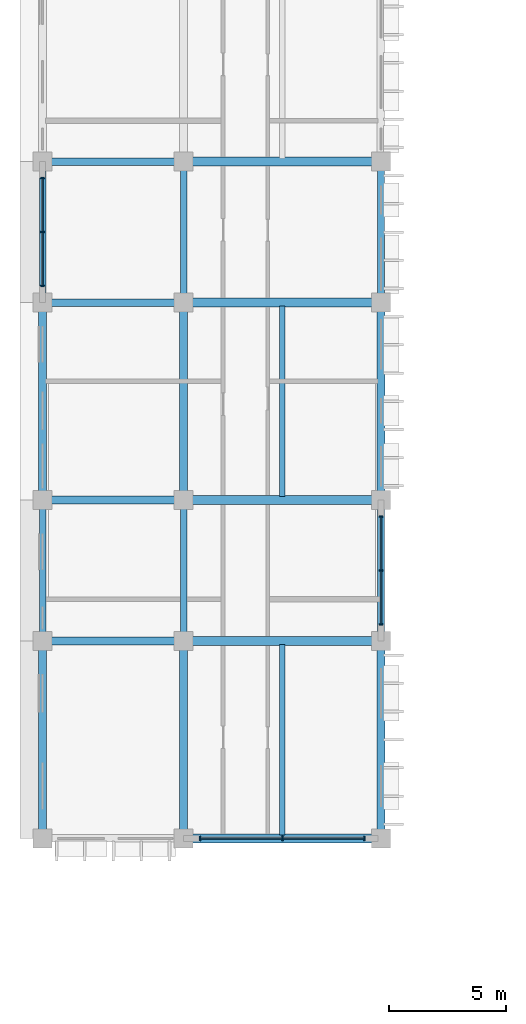
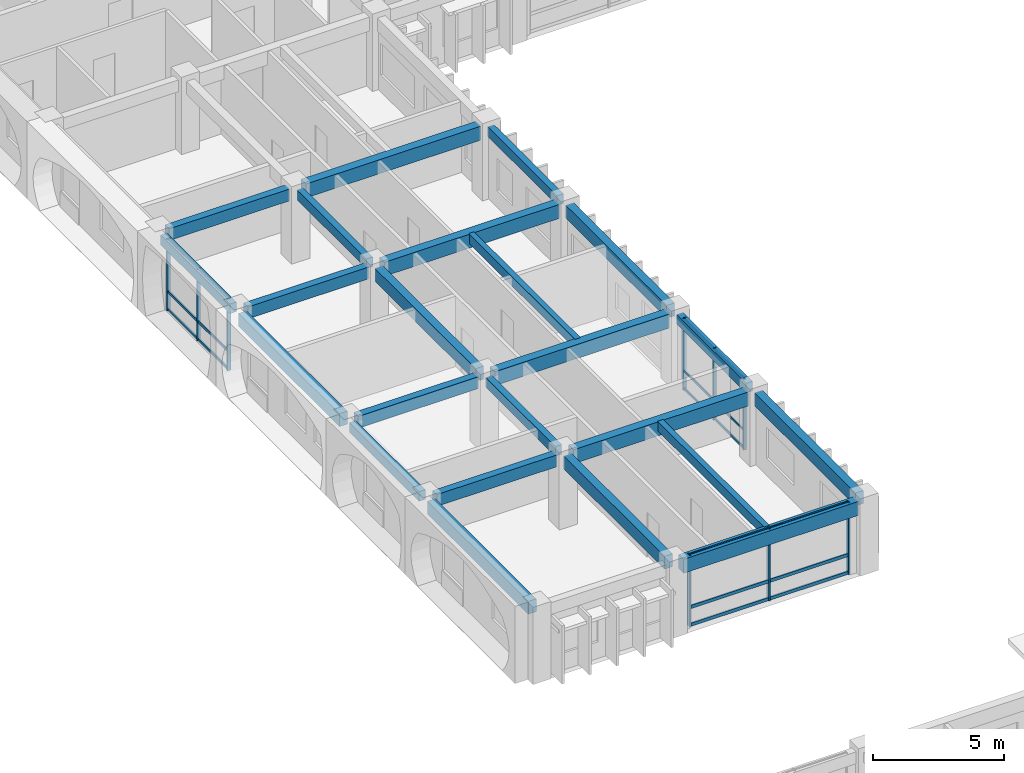
# One storey, part 23 of 88: 23 beams, 18 members, 3 elements without a shape of their own.
"""IFC4 building model written with IfcOpenShell, lengths in metres."""

from ifc_helpers import new_model, si_unit, direction, frame, origin, origin_2d, place, context, subcontext, project, spatial, rectangle, extrude, material, material_profile, profile_set, type_object, element, aggregate, save


model = new_model("IFC4")

# Units and contexts
model_context = context("Model", 3, precision=1e-05, world=origin(), true_north=direction((0.0, 1.0)))
body_context = subcontext(model_context, "Body", "Model", "MODEL_VIEW")
ifc_project = project(units=[si_unit("LENGTHUNIT", "METRE"), si_unit("AREAUNIT", "SQUARE_METRE"), si_unit("VOLUMEUNIT", "CUBIC_METRE"), si_unit("PLANEANGLEUNIT", "RADIAN"), si_unit("MASSUNIT", "GRAM", prefix="KILO"), si_unit("THERMODYNAMICTEMPERATUREUNIT", "KELVIN")], contexts=[model_context])

# Site, building, storey
site_placement = place(None, origin())
site = spatial("IfcSite", under=ifc_project, at=site_placement, CompositionType="ELEMENT")
building_placement = place(site_placement, origin())
building = spatial("IfcBuilding", under=site, at=building_placement, Name="Thalorik Housing Commons", CompositionType="ELEMENT")
storey_placement = place(building_placement, frame((0.0, 0.0, 4.5)))
storey = spatial("IfcBuildingStorey", under=building, at=storey_placement, Name="L01", CompositionType="ELEMENT", Elevation=4.5)

# Curtain wall, members
ifc_material_1 = material(Name="Anodised aluminium and solar-control low-E glass", Category="aluminium")
curtain_wall_type = type_object("IfcCurtainWallType", Name="ARC-CW-LOUNGE", PredefinedType="USERDEFINED", material=ifc_material_1)
curtain_wall_1_placement = place(storey_placement, origin())
curtain_wall_1 = element("IfcCurtainWall", 1, at=curtain_wall_1_placement, inside=storey, type_object=curtain_wall_type, Name="L01 Curtain Wall CW-RES-L01-A-008", ObjectType="CURTAIN WALL", PredefinedType="USERDEFINED")
ifc_material_2 = material(Name="Anodised aluminium 6063-T6", Category="aluminium")
ifc_material_profile_1 = material_profile(ifc_material_2, rectangle(XDim=0.054931640625, YDim=0.139892578125, at=origin_2d()), Name="ALU MUL 55x140", Category="aluminium")
ifc_profile_set_1 = profile_set([ifc_material_profile_1], Name="Anodised aluminium 6063-T6")
member_type_1 = type_object("IfcMemberType", Name="ARC-CW-MUL-55x140", PredefinedType="MULLION", material=ifc_profile_set_1)
member_1_placement = place(storey_placement, frame((22.800048828125, 81.10009765625, 0.0), z_axis=(0.0, 0.0, 1.0), x_axis=(0.0, 1.0, 0.0)))
member_1 = element("IfcMember", 2, at=member_1_placement, type_object=member_type_1, Name="CW-RES-L01-A-008 Mullion 1", PredefinedType="MULLION", context=body_context, shape_type="SweptSolid", body=[
    extrude(rectangle(XDim=0.054931640625, YDim=0.139892578125, at=origin_2d()), origin(), (0.0, 0.0, 1.0), 3.340087890625),
])
member_2_placement = place(storey_placement, frame((22.800048828125, 83.39990234375, 0.0), z_axis=(0.0, 0.0, 1.0), x_axis=(0.0, 1.0, 0.0)))
member_2 = element("IfcMember", 3, at=member_2_placement, type_object=member_type_1, Name="CW-RES-L01-A-008 Mullion 2", PredefinedType="MULLION", context=body_context, shape_type="SweptSolid", body=[
    extrude(rectangle(XDim=0.054931640625, YDim=0.139892578125, at=origin_2d()), origin(), (0.0, 0.0, 1.0), 3.340087890625),
])
member_3_placement = place(storey_placement, frame((22.800048828125, 85.699951171875, 0.0), z_axis=(0.0, 0.0, 1.0), x_axis=(0.0, 1.0, 0.0)))
member_3 = element("IfcMember", 4, at=member_3_placement, type_object=member_type_1, Name="CW-RES-L01-A-008 Mullion 3", PredefinedType="MULLION", context=body_context, shape_type="SweptSolid", body=[
    extrude(rectangle(XDim=0.054931640625, YDim=0.139892578125, at=origin_2d()), origin(), (0.0, 0.0, 1.0), 3.340087890625),
])

curtain_wall_2_placement = place(storey_placement, origin())
curtain_wall_2 = element("IfcCurtainWall", 5, at=curtain_wall_2_placement, inside=storey, type_object=curtain_wall_type, Name="L01 Curtain Wall CW-RES-L01-A-006", ObjectType="CURTAIN WALL", PredefinedType="USERDEFINED")
ifc_material_profile_2 = material_profile(ifc_material_2, rectangle(XDim=0.06005859375, YDim=0.159912109375, at=origin_2d()), Name="ALU MUL 60x160", Category="aluminium")
ifc_profile_set_2 = profile_set([ifc_material_profile_2], Name="Anodised aluminium 6063-T6")
member_type_2 = type_object("IfcMemberType", Name="ARC-CW-MUL-60x160", PredefinedType="MULLION", material=ifc_profile_set_2)
member_4_placement = place(storey_placement, frame((8.39990234375, 100.10009765625, 0.0), z_axis=(0.0, 0.0, 1.0), x_axis=(0.0, -1.0, 0.0)))
member_4 = element("IfcMember", 6, at=member_4_placement, type_object=member_type_2, Name="CW-RES-L01-A-006 Mullion 1", PredefinedType="MULLION", context=body_context, shape_type="SweptSolid", body=[
    extrude(rectangle(XDim=0.06005859375, YDim=0.159912109375, at=origin_2d()), origin(), (0.0, 0.0, 1.0), 3.340087890625),
])
member_5_placement = place(storey_placement, frame((8.39990234375, 97.800048828125, 0.0), z_axis=(0.0, 0.0, 1.0), x_axis=(0.0, -1.0, 0.0)))
member_5 = element("IfcMember", 7, at=member_5_placement, type_object=member_type_2, Name="CW-RES-L01-A-006 Mullion 2", PredefinedType="MULLION", context=body_context, shape_type="SweptSolid", body=[
    extrude(rectangle(XDim=0.06005859375, YDim=0.159912109375, at=origin_2d()), origin(), (0.0, 0.0, 1.0), 3.340087890625),
])
member_6_placement = place(storey_placement, frame((8.39990234375, 95.5, 0.0), z_axis=(0.0, 0.0, 1.0), x_axis=(0.0, -1.0, 0.0)))
member_6 = element("IfcMember", 8, at=member_6_placement, type_object=member_type_2, Name="CW-RES-L01-A-006 Mullion 3", PredefinedType="MULLION", context=body_context, shape_type="SweptSolid", body=[
    extrude(rectangle(XDim=0.06005859375, YDim=0.159912109375, at=origin_2d()), origin(), (0.0, 0.0, 1.0), 3.340087890625),
])

curtain_wall_3_placement = place(storey_placement, origin())
curtain_wall_3 = element("IfcCurtainWall", 9, at=curtain_wall_3_placement, inside=storey, type_object=curtain_wall_type, Name="L01 Curtain Wall CW-RES-L01-A-007", ObjectType="CURTAIN WALL", PredefinedType="USERDEFINED")
ifc_material_profile_3 = material_profile(ifc_material_2, rectangle(XDim=0.06494140625, YDim=0.179931640625, at=origin_2d()), Name="ALU MUL 65x180", Category="aluminium")
ifc_profile_set_3 = profile_set([ifc_material_profile_3], Name="Anodised aluminium 6063-T6")
member_type_3 = type_object("IfcMemberType", Name="ARC-CW-MUL-65x180", PredefinedType="MULLION", material=ifc_profile_set_3)
member_7_placement = place(storey_placement, frame((15.10009765625, 72.0, 0.0), z_axis=(0.0, 0.0, 1.0), x_axis=(1.0, 0.0, 0.0)))
member_7 = element("IfcMember", 10, at=member_7_placement, type_object=member_type_3, Name="CW-RES-L01-A-007 Mullion 1", PredefinedType="MULLION", context=body_context, shape_type="SweptSolid", body=[
    extrude(rectangle(XDim=0.06494140625, YDim=0.179931640625, at=origin_2d()), origin(), (0.0, 0.0, 1.0), 3.340087890625),
])
member_8_placement = place(storey_placement, frame((18.60009765625, 72.0, 0.0), z_axis=(0.0, 0.0, 1.0), x_axis=(1.0, 0.0, 0.0)))
member_8 = element("IfcMember", 11, at=member_8_placement, type_object=member_type_3, Name="CW-RES-L01-A-007 Mullion 2", PredefinedType="MULLION", context=body_context, shape_type="SweptSolid", body=[
    extrude(rectangle(XDim=0.06494140625, YDim=0.179931640625, at=origin_2d()), origin(), (0.0, 0.0, 1.0), 3.340087890625),
])
member_9_placement = place(storey_placement, frame((22.10009765625, 72.0, 0.0), z_axis=(0.0, 0.0, 1.0), x_axis=(1.0, 0.0, 0.0)))
member_9 = element("IfcMember", 12, at=member_9_placement, type_object=member_type_3, Name="CW-RES-L01-A-007 Mullion 3", PredefinedType="MULLION", context=body_context, shape_type="SweptSolid", body=[
    extrude(rectangle(XDim=0.06494140625, YDim=0.179931640625, at=origin_2d()), origin(), (0.0, 0.0, 1.0), 3.340087890625),
])

# Member
ifc_material_profile_4 = material_profile(ifc_material_2, rectangle(XDim=0.054931640625, YDim=0.10498046875, at=origin_2d()), Name="ALU TRN 55x105", Category="aluminium")
ifc_profile_set_4 = profile_set([ifc_material_profile_4], Name="Anodised aluminium 6063-T6")
member_type_4 = type_object("IfcMemberType", Name="ARC-CW-TRN-55x105", PredefinedType="USERDEFINED", material=ifc_profile_set_4)
member_10_placement = place(storey_placement, frame((22.800048828125, 81.10009765625, 0.054931640625), z_axis=(0.0, 1.0, 0.0), x_axis=(-1.0, 0.0, 0.0)))
member_10 = element("IfcMember", 13, at=member_10_placement, type_object=member_type_4, Name="CW-RES-L01-A-008 Transom 1", ObjectType="TRANSOM", PredefinedType="USERDEFINED", context=body_context, shape_type="SweptSolid", body=[
    extrude(rectangle(XDim=0.054931640625, YDim=0.10498046875, at=origin_2d()), origin(), (0.0, 0.0, 1.0), 4.599853515625),
])

member_11_placement = place(storey_placement, frame((22.800048828125, 81.10009765625, 0.8798828125), z_axis=(0.0, 1.0, 0.0), x_axis=(-1.0, 0.0, 0.0)))
member_11 = element("IfcMember", 14, at=member_11_placement, type_object=member_type_4, Name="CW-RES-L01-A-008 Transom 2", ObjectType="TRANSOM", PredefinedType="USERDEFINED", context=body_context, shape_type="SweptSolid", body=[
    extrude(rectangle(XDim=0.054931640625, YDim=0.10498046875, at=origin_2d()), origin(), (0.0, 0.0, 1.0), 4.599853515625),
])

member_12_placement = place(storey_placement, frame((22.800048828125, 81.10009765625, 3.284912109375), z_axis=(0.0, 1.0, 0.0), x_axis=(-1.0, 0.0, 0.0)))
member_12 = element("IfcMember", 15, at=member_12_placement, type_object=member_type_4, Name="CW-RES-L01-A-008 Transom 3", ObjectType="TRANSOM", PredefinedType="USERDEFINED", context=body_context, shape_type="SweptSolid", body=[
    extrude(rectangle(XDim=0.054931640625, YDim=0.10498046875, at=origin_2d()), origin(), (0.0, 0.0, 1.0), 4.599853515625),
])

aggregate(curtain_wall_1, [member_1, member_2, member_3, member_10, member_11, member_12])

ifc_material_profile_5 = material_profile(ifc_material_2, rectangle(XDim=0.06005859375, YDim=0.1201171875, at=origin_2d()), Name="ALU TRN 60x120", Category="aluminium")
ifc_profile_set_5 = profile_set([ifc_material_profile_5], Name="Anodised aluminium 6063-T6")
member_type_5 = type_object("IfcMemberType", Name="ARC-CW-TRN-60x120", PredefinedType="USERDEFINED", material=ifc_profile_set_5)
member_13_placement = place(storey_placement, frame((8.39990234375, 100.10009765625, 0.054931640625), z_axis=(0.0, -1.0, 0.0), x_axis=(1.0, 0.0, 0.0)))
member_13 = element("IfcMember", 16, at=member_13_placement, type_object=member_type_5, Name="CW-RES-L01-A-006 Transom 1", ObjectType="TRANSOM", PredefinedType="USERDEFINED", context=body_context, shape_type="SweptSolid", body=[
    extrude(rectangle(XDim=0.06005859375, YDim=0.1201171875, at=origin_2d()), origin(), (0.0, 0.0, 1.0), 4.60009765625),
])

member_14_placement = place(storey_placement, frame((8.39990234375, 100.10009765625, 0.8798828125), z_axis=(0.0, -1.0, 0.0), x_axis=(1.0, 0.0, 0.0)))
member_14 = element("IfcMember", 17, at=member_14_placement, type_object=member_type_5, Name="CW-RES-L01-A-006 Transom 2", ObjectType="TRANSOM", PredefinedType="USERDEFINED", context=body_context, shape_type="SweptSolid", body=[
    extrude(rectangle(XDim=0.06005859375, YDim=0.1201171875, at=origin_2d()), origin(), (0.0, 0.0, 1.0), 4.60009765625),
])

member_15_placement = place(storey_placement, frame((8.39990234375, 100.10009765625, 3.284912109375), z_axis=(0.0, -1.0, 0.0), x_axis=(1.0, 0.0, 0.0)))
member_15 = element("IfcMember", 18, at=member_15_placement, type_object=member_type_5, Name="CW-RES-L01-A-006 Transom 3", ObjectType="TRANSOM", PredefinedType="USERDEFINED", context=body_context, shape_type="SweptSolid", body=[
    extrude(rectangle(XDim=0.06005859375, YDim=0.1201171875, at=origin_2d()), origin(), (0.0, 0.0, 1.0), 4.60009765625),
])

aggregate(curtain_wall_2, [member_4, member_5, member_6, member_13, member_14, member_15])

ifc_material_profile_6 = material_profile(ifc_material_2, rectangle(XDim=0.06494140625, YDim=0.14990234375, at=origin_2d()), Name="ALU TRN 65x150", Category="aluminium")
ifc_profile_set_6 = profile_set([ifc_material_profile_6], Name="Anodised aluminium 6063-T6")
member_type_6 = type_object("IfcMemberType", Name="ARC-CW-TRN-65x150", PredefinedType="USERDEFINED", material=ifc_profile_set_6)
member_16_placement = place(storey_placement, frame((15.10009765625, 72.0, 0.054931640625), z_axis=(1.0, 0.0, 0.0), x_axis=(0.0, 1.0, 0.0)))
member_16 = element("IfcMember", 19, at=member_16_placement, type_object=member_type_6, Name="CW-RES-L01-A-007 Transom 1", ObjectType="TRANSOM", PredefinedType="USERDEFINED", context=body_context, shape_type="SweptSolid", body=[
    extrude(rectangle(XDim=0.06494140625, YDim=0.14990234375, at=origin_2d()), origin(), (0.0, 0.0, 1.0), 7.0),
])

member_17_placement = place(storey_placement, frame((15.10009765625, 72.0, 0.8798828125), z_axis=(1.0, 0.0, 0.0), x_axis=(0.0, 1.0, 0.0)))
member_17 = element("IfcMember", 20, at=member_17_placement, type_object=member_type_6, Name="CW-RES-L01-A-007 Transom 2", ObjectType="TRANSOM", PredefinedType="USERDEFINED", context=body_context, shape_type="SweptSolid", body=[
    extrude(rectangle(XDim=0.06494140625, YDim=0.14990234375, at=origin_2d()), origin(), (0.0, 0.0, 1.0), 7.0),
])

member_18_placement = place(storey_placement, frame((15.10009765625, 72.0, 3.284912109375), z_axis=(1.0, 0.0, 0.0), x_axis=(0.0, 1.0, 0.0)))
member_18 = element("IfcMember", 21, at=member_18_placement, type_object=member_type_6, Name="CW-RES-L01-A-007 Transom 3", ObjectType="TRANSOM", PredefinedType="USERDEFINED", context=body_context, shape_type="SweptSolid", body=[
    extrude(rectangle(XDim=0.06494140625, YDim=0.14990234375, at=origin_2d()), origin(), (0.0, 0.0, 1.0), 7.0),
])

aggregate(curtain_wall_3, [member_7, member_8, member_9, member_16, member_17, member_18])

# Beams
ifc_material_3 = material(Name="Precast concrete C40/50", Category="concrete")
ifc_material_profile_7 = material_profile(ifc_material_3, rectangle(XDim=0.280029296875, YDim=0.449951171875, at=origin_2d()), Name="PC 280x450", Category="concrete")
ifc_profile_set_7 = profile_set([ifc_material_profile_7], Name="Precast concrete C40/50")
beam_type_1 = type_object("IfcBeamType", Name="STR-BM-PC280x450", PredefinedType="BEAM", material=ifc_profile_set_7)
for number, where, z_axis, x_axis, name in (
    (22, (8.39990234375, 80.75, 3.114990234375), (0.0, 1.0, 0.0), (-1.0, 0.0, 0.0), "L01 Beam B-450"),
    (23, (8.39990234375, 95.14990234375, 3.114990234375), (0.0, 1.0, 0.0), (-1.0, 0.0, 0.0), "L01 Beam B-450"),
    (24, (14.39990234375, 80.75, 3.114990234375), (0.0, 1.0, 0.0), (-1.0, 0.0, 0.0), "L01 Beam B-450"),
    (25, (14.39990234375, 95.14990234375, 3.114990234375), (0.0, 1.0, 0.0), (-1.0, 0.0, 0.0), "L01 Beam B-450"),
    (26, (22.800048828125, 80.75, 3.114990234375), (0.0, 1.0, 0.0), (-1.0, 0.0, 0.0), "L01 Beam B-450"),
    (27, (22.800048828125, 95.14990234375, 3.114990234375), (0.0, 1.0, 0.0), (-1.0, 0.0, 0.0), "L01 Beam B-450"),
):
    element("IfcBeam", number, at=place(storey_placement, frame(where, z_axis=z_axis, x_axis=x_axis)), inside=storey, type_object=beam_type_1, Name=name, PredefinedType="BEAM", context=body_context, shape_type="SweptSolid", body=[
        extrude(rectangle(XDim=0.280029296875, YDim=0.449951171875, at=origin_2d()), origin(), (0.0, 0.0, 1.0), 5.300048828125),
    ])
ifc_material_profile_8 = material_profile(ifc_material_3, rectangle(XDim=0.320068359375, YDim=0.550048828125, at=origin_2d()), Name="PC 320x550", Category="concrete")
ifc_profile_set_8 = profile_set([ifc_material_profile_8], Name="Precast concrete C40/50")
beam_type_2 = type_object("IfcBeamType", Name="STR-BM-PC320x550", PredefinedType="BEAM", material=ifc_profile_set_8)
for number, where, z_axis, x_axis, name in (
    (28, (8.75, 80.39990234375, 3.06494140625), (1.0, 0.0, 0.0), (0.0, 1.0, 0.0), "L01 Beam B-550"),
    (29, (8.75, 86.39990234375, 3.06494140625), (1.0, 0.0, 0.0), (0.0, 1.0, 0.0), "L01 Beam B-550"),
    (30, (8.75, 94.800048828125, 3.06494140625), (1.0, 0.0, 0.0), (0.0, 1.0, 0.0), "L01 Beam B-550"),
    (31, (8.75, 100.800048828125, 3.06494140625), (1.0, 0.0, 0.0), (0.0, 1.0, 0.0), "L01 Beam B-550"),
):
    element("IfcBeam", number, at=place(storey_placement, frame(where, z_axis=z_axis, x_axis=x_axis)), inside=storey, type_object=beam_type_2, Name=name, PredefinedType="BEAM", context=body_context, shape_type="SweptSolid", body=[
        extrude(rectangle(XDim=0.320068359375, YDim=0.550048828125, at=origin_2d()), origin(), (0.0, 0.0, 1.0), 5.300048828125),
    ])
ifc_material_profile_9 = material_profile(ifc_material_3, rectangle(XDim=0.35009765625, YDim=0.60009765625, at=origin_2d()), Name="PC 350x600", Category="concrete")
ifc_profile_set_9 = profile_set([ifc_material_profile_9], Name="Precast concrete C40/50")
beam_type_3 = type_object("IfcBeamType", Name="STR-BM-PC350x600", PredefinedType="BEAM", material=ifc_profile_set_9)
for number, where, z_axis, x_axis, name in (
    (32, (8.39990234375, 72.35009765625, 3.0400390625), (0.0, 1.0, 0.0), (-1.0, 0.0, 0.0), "L01 Beam B-600"),
    (33, (8.39990234375, 86.75, 3.0400390625), (0.0, 1.0, 0.0), (-1.0, 0.0, 0.0), "L01 Beam B-600"),
    (34, (14.39990234375, 72.35009765625, 3.0400390625), (0.0, 1.0, 0.0), (-1.0, 0.0, 0.0), "L01 Beam B-600"),
    (35, (14.39990234375, 86.75, 3.0400390625), (0.0, 1.0, 0.0), (-1.0, 0.0, 0.0), "L01 Beam B-600"),
    (36, (22.800048828125, 72.35009765625, 3.0400390625), (0.0, 1.0, 0.0), (-1.0, 0.0, 0.0), "L01 Beam B-600"),
    (37, (22.800048828125, 86.75, 3.0400390625), (0.0, 1.0, 0.0), (-1.0, 0.0, 0.0), "L01 Beam B-600"),
):
    element("IfcBeam", number, at=place(storey_placement, frame(where, z_axis=z_axis, x_axis=x_axis)), inside=storey, type_object=beam_type_3, Name=name, PredefinedType="BEAM", context=body_context, shape_type="SweptSolid", body=[
        extrude(rectangle(XDim=0.35009765625, YDim=0.60009765625, at=origin_2d()), origin(), (0.0, 0.0, 1.0), 7.699951171875),
    ])
ifc_material_profile_10 = material_profile(ifc_material_3, rectangle(XDim=0.3798828125, YDim=0.64990234375, at=origin_2d()), Name="PC 380x650", Category="concrete")
ifc_profile_set_10 = profile_set([ifc_material_profile_10], Name="Precast concrete C40/50")
beam_type_4 = type_object("IfcBeamType", Name="STR-BM-PC380x650", PredefinedType="BEAM", material=ifc_profile_set_10)
for number, where, z_axis, x_axis, name in (
    (38, (14.75, 72.0, 3.014892578125), (1.0, 0.0, 0.0), (0.0, 1.0, 0.0), "L01 Beam B-650"),
    (39, (14.75, 80.39990234375, 3.014892578125), (1.0, 0.0, 0.0), (0.0, 1.0, 0.0), "L01 Beam B-650"),
    (40, (14.75, 86.39990234375, 3.014892578125), (1.0, 0.0, 0.0), (0.0, 1.0, 0.0), "L01 Beam B-650"),
    (41, (14.75, 94.800048828125, 3.014892578125), (1.0, 0.0, 0.0), (0.0, 1.0, 0.0), "L01 Beam B-650"),
    (42, (14.75, 100.800048828125, 3.014892578125), (1.0, 0.0, 0.0), (0.0, 1.0, 0.0), "L01 Beam B-650"),
):
    element("IfcBeam", number, at=place(storey_placement, frame(where, z_axis=z_axis, x_axis=x_axis)), inside=storey, type_object=beam_type_4, Name=name, PredefinedType="BEAM", context=body_context, shape_type="SweptSolid", body=[
        extrude(rectangle(XDim=0.3798828125, YDim=0.64990234375, at=origin_2d()), origin(), (0.0, 0.0, 1.0), 7.699951171875),
    ])
ifc_material_profile_11 = material_profile(ifc_material_3, rectangle(XDim=0.239990234375, YDim=0.43994140625, at=origin_2d()), Name="PC JST 240x440", Category="concrete")
ifc_profile_set_11 = profile_set([ifc_material_profile_11], Name="Precast concrete C40/50")
beam_type_5 = type_object("IfcBeamType", Name="STR-JST-PC240x440", PredefinedType="JOIST", material=ifc_profile_set_11)
beam_1_placement = place(storey_placement, frame((18.60009765625, 72.139892578125, 3.1201171875), z_axis=(0.0, 1.0, 0.0), x_axis=(-1.0, 0.0, 0.0)))
element("IfcBeam", 43, at=beam_1_placement, inside=storey, type_object=beam_type_5, Name="L01 Beam J-440", PredefinedType="JOIST", context=body_context, shape_type="SweptSolid", body=[
    extrude(rectangle(XDim=0.239990234375, YDim=0.43994140625, at=origin_2d()), origin(), (0.0, 0.0, 1.0), 8.1201171875),
])
beam_2_placement = place(storey_placement, frame((18.60009765625, 86.5400390625, 3.1201171875), z_axis=(0.0, 1.0, 0.0), x_axis=(-1.0, 0.0, 0.0)))
element("IfcBeam", 44, at=beam_2_placement, inside=storey, type_object=beam_type_5, Name="L01 Beam J-440", PredefinedType="JOIST", context=body_context, shape_type="SweptSolid", body=[
    extrude(rectangle(XDim=0.239990234375, YDim=0.43994140625, at=origin_2d()), origin(), (0.0, 0.0, 1.0), 8.119873046875),
])

save(model, "model.ifc")
